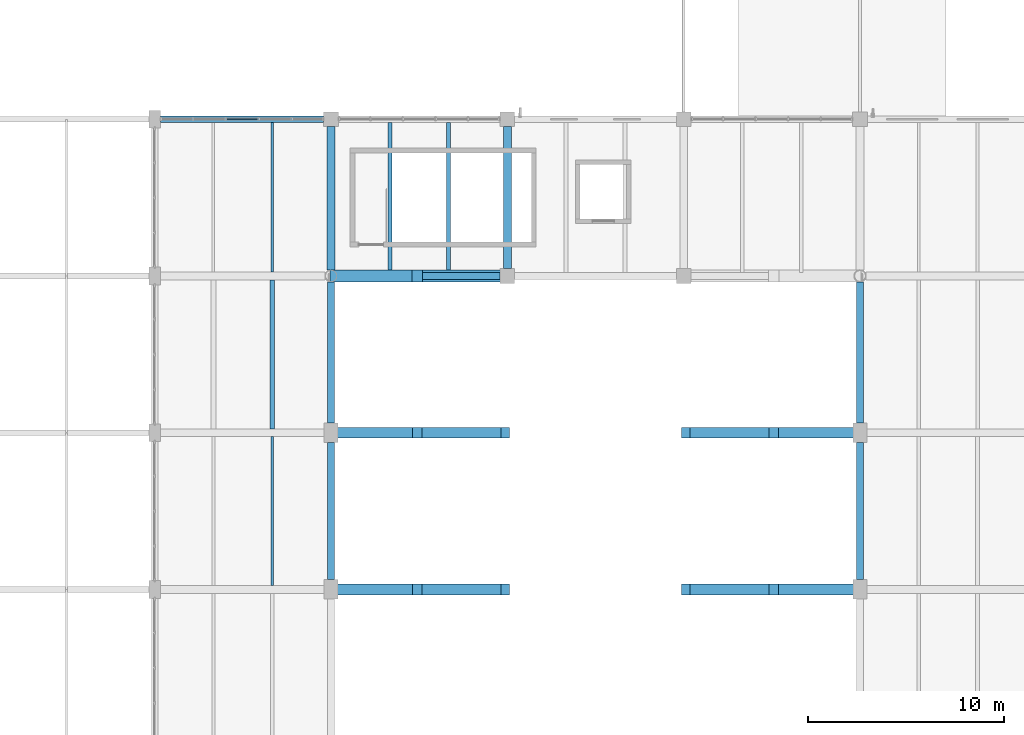
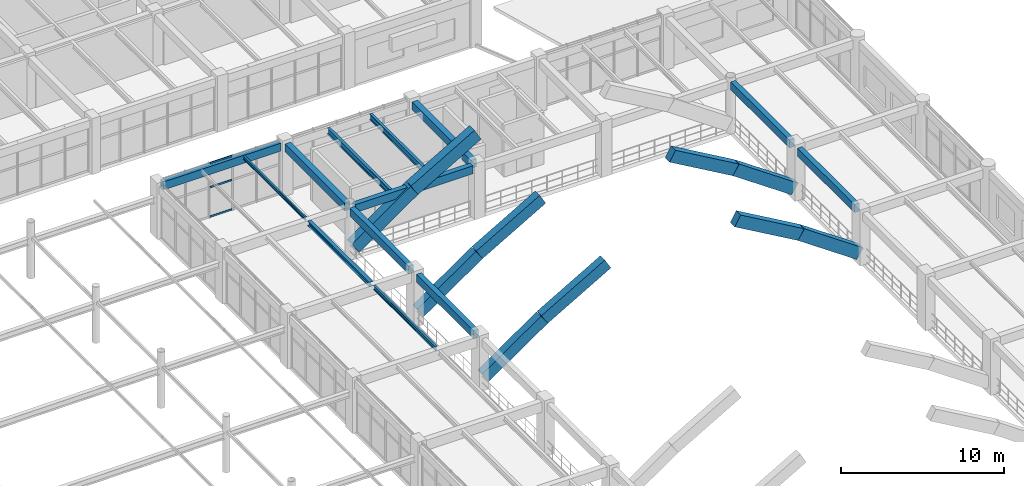
# One storey, part 58 of 148: 23 beams, 3 members, 1 element without a shape of its own.
"""IFC4 building model written with IfcOpenShell, lengths in metres."""

from ifc_helpers import new_model, si_unit, derived_unit, direction, frame, origin, origin_2d, place, context, subcontext, project, spatial, rectangle, hollow_rectangle, i_section, extrude, material, material_profile, profile_set, type_object, element, aggregate, save


model = new_model("IFC4")

# Units and contexts
model_context = context("Model", 3, precision=1e-05, world=origin(), true_north=direction((0.0, 1.0)))
body_context = subcontext(model_context, "Body", "Model", "MODEL_VIEW")
ifc_project = project(units=[si_unit("LENGTHUNIT", "METRE"), si_unit("AREAUNIT", "SQUARE_METRE"), si_unit("VOLUMEUNIT", "CUBIC_METRE"), si_unit("PLANEANGLEUNIT", "RADIAN"), si_unit("MASSUNIT", "GRAM", prefix="KILO"), derived_unit("THERMALTRANSMITTANCEUNIT", [(si_unit("MASSUNIT", "GRAM", prefix="KILO"), 1), (si_unit("TIMEUNIT", "SECOND"), -3), (si_unit("THERMODYNAMICTEMPERATUREUNIT", "KELVIN"), -1)])], contexts=[model_context])

# Site, building, storey
site_placement = place(None, origin())
site = spatial("IfcSite", under=ifc_project, at=site_placement, CompositionType="ELEMENT")
building_placement = place(site_placement, origin())
building = spatial("IfcBuilding", under=site, at=building_placement, Name="Zhenchuan Archway Interchange", CompositionType="ELEMENT")
storey_placement = place(building_placement, frame((0.0, 0.0, 10.199951171875)))
storey = spatial("IfcBuildingStorey", under=building, at=storey_placement, Name="L02", CompositionType="ELEMENT", Elevation=10.199951171875)

# Beams
ifc_material_1 = material(Name="Concrete C40", Category="concrete")
ifc_material_profile_1 = material_profile(ifc_material_1, rectangle(XDim=0.39990234375, YDim=0.60009765625, at=origin_2d()), Name="RC 400x600")
ifc_profile_set_1 = profile_set([ifc_material_profile_1], Name="Concrete C40")
beam_type_1 = type_object("IfcBeamType", Name="BM_RC_400x600", PredefinedType="BEAM", material=ifc_profile_set_1)
beam_1_placement = place(storey_placement, frame((36.0, 80.304931640625, 3.64013671875), z_axis=(0.0, 1.0, 0.0), x_axis=(-1.0, 0.0, 0.0)))
element("IfcBeam", 1, at=beam_1_placement, inside=storey, type_object=beam_type_1, Name="Beam 5:L-M (L02)", PredefinedType="BEAM", context=body_context, shape_type="SweptSolid", body=[
    extrude(rectangle(XDim=0.39990234375, YDim=0.60009765625, at=origin_2d()), origin(), (0.0, 0.0, 1.0), 7.320068359375),
])
beam_2_placement = place(storey_placement, frame((45.0, 80.375, 3.64013671875), z_axis=(0.0, 1.0, 0.0), x_axis=(-1.0, 0.0, 0.0)))
element("IfcBeam", 2, at=beam_2_placement, inside=storey, type_object=beam_type_1, Name="Beam 6:L-M (L02)", PredefinedType="BEAM", context=body_context, shape_type="SweptSolid", body=[
    extrude(rectangle(XDim=0.39990234375, YDim=0.60009765625, at=origin_2d()), origin(), (0.0, 0.0, 1.0), 7.25),
])
ifc_material_2 = material(Name="Concrete C50", Category="concrete")
ifc_material_profile_2 = material_profile(ifc_material_2, rectangle(XDim=0.550048828125, YDim=0.85009765625, at=origin_2d()), Name="RC 550x850")
ifc_profile_set_2 = profile_set([ifc_material_profile_2], Name="Concrete C50")
beam_type_2 = type_object("IfcBeamType", Name="BM_RC_ARCH_550x850", PredefinedType="BEAM", material=ifc_profile_set_2)
beam_3_placement = place(storey_placement, frame((36.22998046875, 64.0, 0.759521484375), z_axis=(0.821864541995, 0.0, 0.569682959735), x_axis=(0.0, 1.0, 0.0)))
element("IfcBeam", 3, at=beam_3_placement, inside=storey, type_object=beam_type_2, Name="Parabolic RC concourse arch A4 segment 1", PredefinedType="BEAM", context=body_context, shape_type="SweptSolid", body=[
    extrude(rectangle(XDim=0.550048828125, YDim=0.85009765625, at=origin_2d()), origin(), (0.0, 0.0, 1.0), 5.072021484375),
])
for number, where, z_axis, x_axis, name in (
    (4, (40.401611328125, 64.0, 3.651123046875), (0.865875481591, 0.0, 0.500259582996), (0.0, 1.0, 0.0), "Parabolic RC concourse arch A4 segment 2"),
    (5, (54.101806640625, 64.0, 6.2490234375), (0.865875481591, 0.0, -0.500259582996), (0.0, 1.0, 0.0), "Parabolic RC concourse arch A4 segment 5"),
):
    element("IfcBeam", number, at=place(storey_placement, frame(where, z_axis=z_axis, x_axis=x_axis)), inside=storey, type_object=beam_type_2, Name=name, PredefinedType="BEAM", context=body_context, shape_type="SweptSolid", body=[
        extrude(rectangle(XDim=0.550048828125, YDim=0.85009765625, at=origin_2d()), origin(), (0.0, 0.0, 1.0), 5.193115234375),
    ])
for number, where, z_axis, x_axis, name in (
    (6, (58.6015625, 64.0, 3.64892578125), (0.821864541995, 0.0, -0.569682959735), (0.0, 1.0, 0.0), "Parabolic RC concourse arch A4 segment 6"),
    (7, (36.22998046875, 72.0, 0.759521484375), (0.821864541995, 0.0, 0.569682959735), (0.0, 1.0, 0.0), "Parabolic RC concourse arch A5 segment 1"),
):
    element("IfcBeam", number, at=place(storey_placement, frame(where, z_axis=z_axis, x_axis=x_axis)), inside=storey, type_object=beam_type_2, Name=name, PredefinedType="BEAM", context=body_context, shape_type="SweptSolid", body=[
        extrude(rectangle(XDim=0.550048828125, YDim=0.85009765625, at=origin_2d()), origin(), (0.0, 0.0, 1.0), 5.072021484375),
    ])
for number, where, z_axis, x_axis, name in (
    (8, (40.401611328125, 72.0, 3.651123046875), (0.865875481591, 0.0, 0.500259582996), (0.0, 1.0, 0.0), "Parabolic RC concourse arch A5 segment 2"),
    (9, (54.101806640625, 72.0, 6.2490234375), (0.865875481591, 0.0, -0.500259582996), (0.0, 1.0, 0.0), "Parabolic RC concourse arch A5 segment 5"),
):
    element("IfcBeam", number, at=place(storey_placement, frame(where, z_axis=z_axis, x_axis=x_axis)), inside=storey, type_object=beam_type_2, Name=name, PredefinedType="BEAM", context=body_context, shape_type="SweptSolid", body=[
        extrude(rectangle(XDim=0.550048828125, YDim=0.85009765625, at=origin_2d()), origin(), (0.0, 0.0, 1.0), 5.193115234375),
    ])
beam_4_placement = place(storey_placement, frame((58.6015625, 72.0, 3.64892578125), z_axis=(0.821864541995, 0.0, -0.569682959735), x_axis=(0.0, 1.0, 0.0)))
element("IfcBeam", 10, at=beam_4_placement, inside=storey, type_object=beam_type_2, Name="Parabolic RC concourse arch A5 segment 6", PredefinedType="BEAM", context=body_context, shape_type="SweptSolid", body=[
    extrude(rectangle(XDim=0.550048828125, YDim=0.85009765625, at=origin_2d()), origin(), (0.0, 0.0, 1.0), 5.072021484375),
])
ifc_material_profile_3 = material_profile(ifc_material_2, rectangle(XDim=0.60009765625, YDim=0.949951171875, at=origin_2d()), Name="RC 600x950")
ifc_profile_set_3 = profile_set([ifc_material_profile_3], Name="Concrete C50")
beam_type_3 = type_object("IfcBeamType", Name="BM_RC_ARCH_600x950", PredefinedType="BEAM", material=ifc_profile_set_3)
beam_5_placement = place(storey_placement, frame((36.22998046875, 80.0, 0.759521484375), z_axis=(0.821864541995, 0.0, 0.569682959735), x_axis=(0.0, 1.0, 0.0)))
element("IfcBeam", 11, at=beam_5_placement, inside=storey, type_object=beam_type_3, Name="Parabolic RC concourse arch A6 segment 1", PredefinedType="BEAM", context=body_context, shape_type="SweptSolid", body=[
    extrude(rectangle(XDim=0.60009765625, YDim=0.949951171875, at=origin_2d()), origin(), (0.0, 0.0, 1.0), 5.072021484375),
])
beam_6_placement = place(storey_placement, frame((40.401611328125, 80.0, 3.651123046875), z_axis=(0.865875481591, 0.0, 0.500259582996), x_axis=(0.0, 1.0, 0.0)))
element("IfcBeam", 12, at=beam_6_placement, inside=storey, type_object=beam_type_3, Name="Parabolic RC concourse arch A6 segment 2", PredefinedType="BEAM", context=body_context, shape_type="SweptSolid", body=[
    extrude(rectangle(XDim=0.60009765625, YDim=0.949951171875, at=origin_2d()), origin(), (0.0, 0.0, 1.0), 5.193115234375),
])

# Curtain wall, members
ifc_material_3 = material(Name="Anodised Aluminium", Category="aluminium")
curtain_wall_type = type_object("IfcCurtainWallType", Name="CW_UNIT_1", PredefinedType="NOTDEFINED", material=ifc_material_3)
curtain_wall_placement = place(storey_placement, origin())
curtain_wall = element("IfcCurtainWall", 13, at=curtain_wall_placement, inside=storey, type_object=curtain_wall_type, Name="Unitised curtain wall CW:L02:116", PredefinedType="NOTDEFINED")
ifc_material_profile_4 = material_profile(ifc_material_3, hollow_rectangle(XDim=0.06005859375, YDim=0.139892578125, WallThickness=0.00341796875, InnerFilletRadius=0.00341796875, OuterFilletRadius=0.007080078125, at=origin_2d()), Name="ALU 140x60x3.5")
ifc_profile_set_4 = profile_set([ifc_material_profile_4], Name="Anodised Aluminium")
member_type = type_object("IfcMemberType", Name="CW_TRN_140", PredefinedType="USERDEFINED", material=ifc_profile_set_4)
member_1_placement = place(storey_placement, frame((30.68359375, 88.0, 0.06005859375), z_axis=(1.0, 0.0, 0.0), x_axis=(0.0, 1.0, 0.0)))
member_1 = element("IfcMember", 14, at=member_1_placement, type_object=member_type, Name="CW:L02:116 transom 2-1", ObjectType="TRANSOM", PredefinedType="USERDEFINED", context=body_context, shape_type="SweptSolid", body=[
    extrude(hollow_rectangle(XDim=0.06005859375, YDim=0.139892578125, WallThickness=0.00341796875, InnerFilletRadius=0.00341796875, OuterFilletRadius=0.007080078125, at=origin_2d()), origin(), (0.0, 0.0, 1.0), 1.557861328125),
])
member_2_placement = place(storey_placement, frame((30.68359375, 88.0, 2.26611328125), z_axis=(1.0, 0.0, 0.0), x_axis=(0.0, 1.0, 0.0)))
member_2 = element("IfcMember", 15, at=member_2_placement, type_object=member_type, Name="CW:L02:116 transom 2-2", ObjectType="TRANSOM", PredefinedType="USERDEFINED", context=body_context, shape_type="SweptSolid", body=[
    extrude(hollow_rectangle(XDim=0.06005859375, YDim=0.139892578125, WallThickness=0.00341796875, InnerFilletRadius=0.00341796875, OuterFilletRadius=0.007080078125, at=origin_2d()), origin(), (0.0, 0.0, 1.0), 1.557861328125),
])
member_3_placement = place(storey_placement, frame((30.68359375, 88.0, 4.06005859375), z_axis=(1.0, 0.0, 0.0), x_axis=(0.0, 1.0, 0.0)))
member_3 = element("IfcMember", 16, at=member_3_placement, type_object=member_type, Name="CW:L02:116 transom 2-3", ObjectType="TRANSOM", PredefinedType="USERDEFINED", context=body_context, shape_type="SweptSolid", body=[
    extrude(hollow_rectangle(XDim=0.06005859375, YDim=0.139892578125, WallThickness=0.00341796875, InnerFilletRadius=0.00341796875, OuterFilletRadius=0.007080078125, at=origin_2d()), origin(), (0.0, 0.0, 1.0), 1.557861328125),
])
aggregate(curtain_wall, [member_1, member_2, member_3])

# Beams
ifc_material_4 = material(Name="Steel Q355", Category="steel")
ifc_material_profile_5 = material_profile(ifc_material_4, i_section(OverallWidth=0.25, OverallDepth=0.340087890625, WebThickness=0.009033203125, FlangeThickness=0.013916015625, FilletRadius=0.01806640625, at=origin_2d()), Name="HM 340x250")
ifc_profile_set_5 = profile_set([ifc_material_profile_5], Name="Steel Q355")
beam_type_4 = type_object("IfcBeamType", Name="JST_STL_HM340", PredefinedType="JOIST", material=ifc_profile_set_5)
beam_7_placement = place(storey_placement, frame((33.0, 72.199951171875, 3.77001953125), z_axis=(0.0, 1.0, 0.0), x_axis=(-1.0, 0.0, 0.0)))
element("IfcBeam", 17, at=beam_7_placement, inside=storey, type_object=beam_type_4, Name="Secondary joist 4-5/K-L #2 (L02)", PredefinedType="JOIST", context=body_context, shape_type="SweptSolid", body=[
    extrude(i_section(OverallWidth=0.25, OverallDepth=0.340087890625, WebThickness=0.009033203125, FlangeThickness=0.013916015625, FilletRadius=0.01806640625, at=origin_2d()), origin(), (0.0, 0.0, 1.0), 7.60009765625),
])
ifc_material_profile_6 = material_profile(ifc_material_4, i_section(OverallWidth=0.125, OverallDepth=0.25, WebThickness=0.006103515625, FlangeThickness=0.009033203125, FilletRadius=0.011962890625, at=origin_2d()), Name="HN 250x125")
ifc_profile_set_6 = profile_set([ifc_material_profile_6], Name="Steel Q355")
beam_type_5 = type_object("IfcBeamType", Name="JST_STL_HN250", PredefinedType="JOIST", material=ifc_profile_set_6)
beam_8_placement = place(storey_placement, frame((33.0, 80.199951171875, 3.81494140625), z_axis=(0.0, 1.0, 0.0), x_axis=(-1.0, 0.0, 0.0)))
element("IfcBeam", 18, at=beam_8_placement, inside=storey, type_object=beam_type_5, Name="Secondary joist 4-5/L-M #2 (L02)", PredefinedType="JOIST", context=body_context, shape_type="SweptSolid", body=[
    extrude(i_section(OverallWidth=0.125, OverallDepth=0.25, WebThickness=0.006103515625, FlangeThickness=0.009033203125, FilletRadius=0.011962890625, at=origin_2d()), origin(), (0.0, 0.0, 1.0), 7.625),
])
ifc_material_profile_7 = material_profile(ifc_material_4, i_section(OverallWidth=0.14990234375, OverallDepth=0.300048828125, WebThickness=0.006591796875, FlangeThickness=0.009033203125, FilletRadius=0.012939453125, at=origin_2d()), Name="HN 300x150")
ifc_profile_set_7 = profile_set([ifc_material_profile_7], Name="Steel Q355")
beam_type_6 = type_object("IfcBeamType", Name="JST_STL_HN300", PredefinedType="JOIST", material=ifc_profile_set_7)
beam_9_placement = place(storey_placement, frame((33.0, 64.199951171875, 3.7900390625), z_axis=(0.0, 1.0, 0.0), x_axis=(-1.0, 0.0, 0.0)))
element("IfcBeam", 19, at=beam_9_placement, inside=storey, type_object=beam_type_6, Name="Secondary joist 4-5/J-K #2 (L02)", PredefinedType="JOIST", context=body_context, shape_type="SweptSolid", body=[
    extrude(i_section(OverallWidth=0.14990234375, OverallDepth=0.300048828125, WebThickness=0.006591796875, FlangeThickness=0.009033203125, FilletRadius=0.012939453125, at=origin_2d()), origin(), (0.0, 0.0, 1.0), 7.60009765625),
])
ifc_material_profile_8 = material_profile(ifc_material_4, i_section(OverallWidth=0.199951171875, OverallDepth=0.449951171875, WebThickness=0.009033203125, FlangeThickness=0.013916015625, FilletRadius=0.01806640625, at=origin_2d()), Name="HN 450x200")
ifc_profile_set_8 = profile_set([ifc_material_profile_8], Name="Steel Q355")
beam_type_7 = type_object("IfcBeamType", Name="JST_STL_HN450", PredefinedType="JOIST", material=ifc_profile_set_8)
for number, where, z_axis, x_axis, name in (
    (20, (39.0, 80.175048828125, 3.715087890625), (0.0, 1.0, 0.0), (-1.0, 0.0, 0.0), "Secondary joist 5-6/L-M #1 (L02)"),
    (21, (42.0, 80.175048828125, 3.715087890625), (0.0, 1.0, 0.0), (-1.0, 0.0, 0.0), "Secondary joist 5-6/L-M #2 (L02)"),
):
    element("IfcBeam", number, at=place(storey_placement, frame(where, z_axis=z_axis, x_axis=x_axis)), inside=storey, type_object=beam_type_7, Name=name, PredefinedType="JOIST", context=body_context, shape_type="SweptSolid", body=[
        extrude(i_section(OverallWidth=0.199951171875, OverallDepth=0.449951171875, WebThickness=0.009033203125, FlangeThickness=0.013916015625, FilletRadius=0.01806640625, at=origin_2d()), origin(), (0.0, 0.0, 1.0), 7.64990234375),
    ])
ifc_material_profile_9 = material_profile(ifc_material_1, rectangle(XDim=0.35009765625, YDim=0.60009765625, at=origin_2d()), Name="RC 350x600")
ifc_profile_set_9 = profile_set([ifc_material_profile_9], Name="Concrete C40")
beam_type_8 = type_object("IfcBeamType", Name="SP_RC_350x600", PredefinedType="SPANDREL", material=ifc_profile_set_9)
beam_10_placement = place(storey_placement, frame((36.304931640625, 80.0, 3.64013671875), z_axis=(1.0, 0.0, 0.0), x_axis=(0.0, 1.0, 0.0)))
element("IfcBeam", 22, at=beam_10_placement, inside=storey, type_object=beam_type_8, Name="Beam L:5-6 (L02)", PredefinedType="SPANDREL", context=body_context, shape_type="SweptSolid", body=[
    extrude(rectangle(XDim=0.35009765625, YDim=0.60009765625, at=origin_2d()), origin(), (0.0, 0.0, 1.0), 8.320068359375),
])
beam_11_placement = place(storey_placement, frame((27.300048828125, 88.0, 3.64013671875), z_axis=(1.0, 0.0, 0.0), x_axis=(0.0, 1.0, 0.0)))
element("IfcBeam", 23, at=beam_11_placement, inside=storey, type_object=beam_type_8, Name="Beam M:4-5 (L02)", PredefinedType="SPANDREL", context=body_context, shape_type="SweptSolid", body=[
    extrude(rectangle(XDim=0.35009765625, YDim=0.60009765625, at=origin_2d()), origin(), (0.0, 0.0, 1.0), 8.324951171875),
])
beam_12_placement = place(storey_placement, frame((36.0, 64.5, 3.64013671875), z_axis=(0.0, 1.0, 0.0), x_axis=(-1.0, 0.0, 0.0)))
element("IfcBeam", 24, at=beam_12_placement, inside=storey, type_object=beam_type_8, Name="Beam 5:J-K (L02)", PredefinedType="SPANDREL", context=body_context, shape_type="SweptSolid", body=[
    extrude(rectangle(XDim=0.35009765625, YDim=0.60009765625, at=origin_2d()), origin(), (0.0, 0.0, 1.0), 7.0),
])
beam_13_placement = place(storey_placement, frame((36.0, 72.5, 3.64013671875), z_axis=(0.0, 1.0, 0.0), x_axis=(-1.0, 0.0, 0.0)))
element("IfcBeam", 25, at=beam_13_placement, inside=storey, type_object=beam_type_8, Name="Beam 5:K-L (L02)", PredefinedType="SPANDREL", context=body_context, shape_type="SweptSolid", body=[
    extrude(rectangle(XDim=0.35009765625, YDim=0.60009765625, at=origin_2d()), origin(), (0.0, 0.0, 1.0), 7.195068359375),
])
beam_14_placement = place(storey_placement, frame((63.0, 64.5, 3.64013671875), z_axis=(0.0, 1.0, 0.0), x_axis=(-1.0, 0.0, 0.0)))
element("IfcBeam", 26, at=beam_14_placement, inside=storey, type_object=beam_type_8, Name="Beam 8:J-K (L02)", PredefinedType="SPANDREL", context=body_context, shape_type="SweptSolid", body=[
    extrude(rectangle(XDim=0.35009765625, YDim=0.60009765625, at=origin_2d()), origin(), (0.0, 0.0, 1.0), 7.0),
])
beam_15_placement = place(storey_placement, frame((63.0, 72.5, 3.64013671875), z_axis=(0.0, 1.0, 0.0), x_axis=(-1.0, 0.0, 0.0)))
element("IfcBeam", 27, at=beam_15_placement, inside=storey, type_object=beam_type_8, Name="Beam 8:K-L (L02)", PredefinedType="SPANDREL", context=body_context, shape_type="SweptSolid", body=[
    extrude(rectangle(XDim=0.35009765625, YDim=0.60009765625, at=origin_2d()), origin(), (0.0, 0.0, 1.0), 7.195068359375),
])

save(model, "model.ifc")
